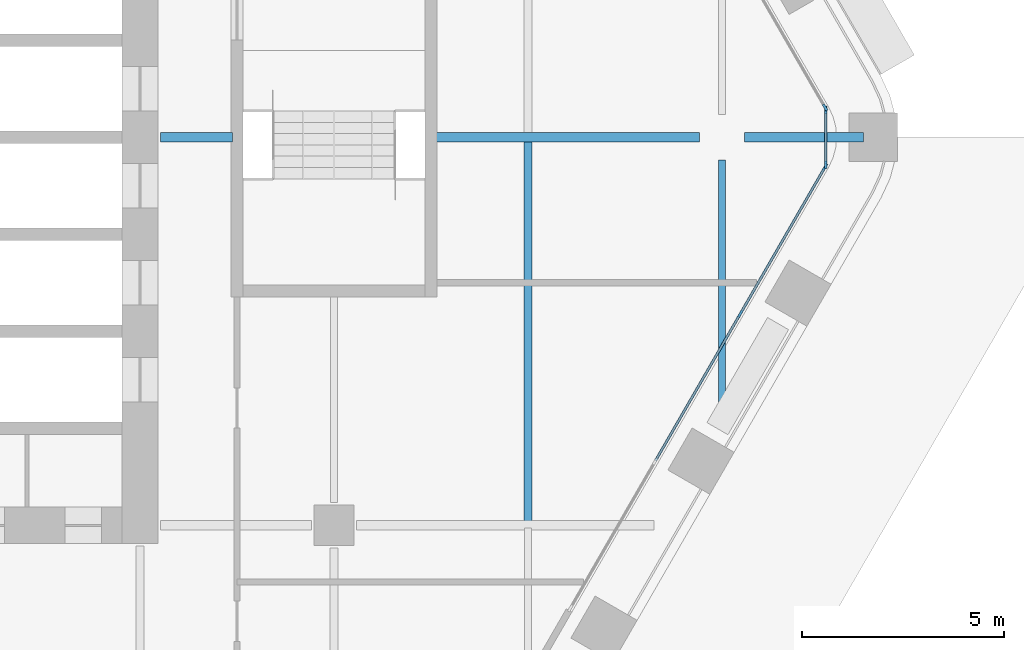
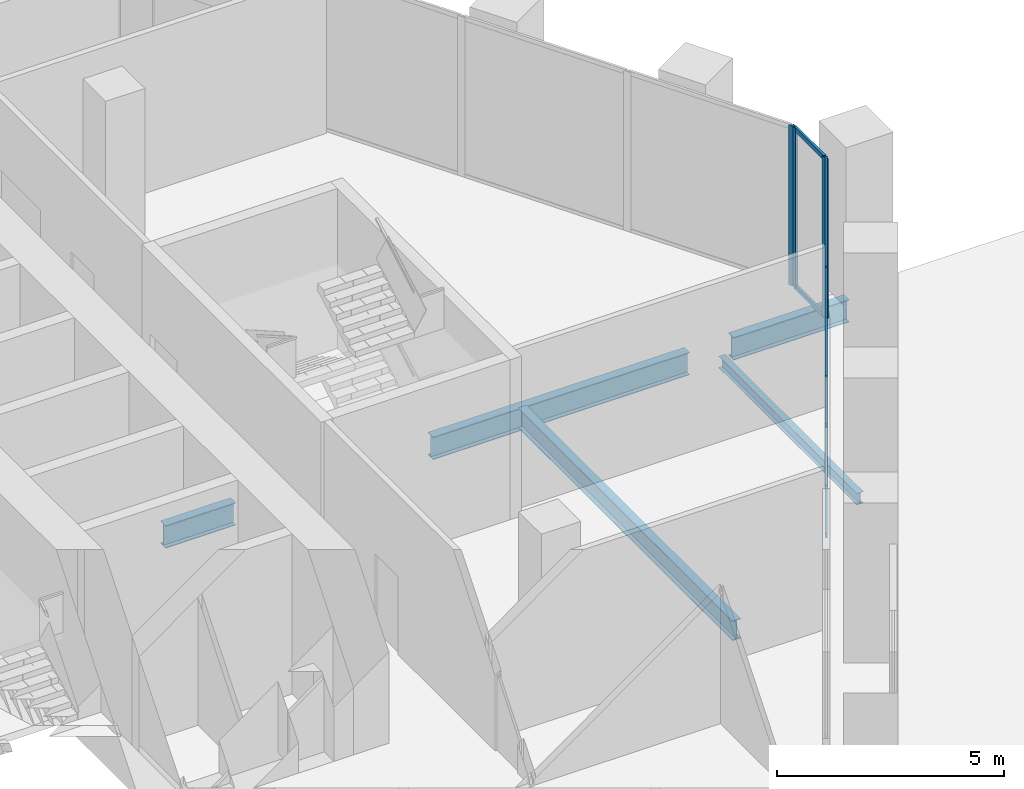
# One storey, part 5 of 23: 11 members, 5 beams, 3 elements without a shape of their own.
"""IFC4 building model written with IfcOpenShell, lengths in metres."""

import ifcopenshell
import ifcopenshell.guid

model = None  # the IFC model being written
_history = None  # IfcOwnerHistory: only IFC2X3 demands one
_inside = {}  # id of a spatial element -> (the spatial element, [elements in it])
_under = {}  # id of a project, library or spatial element -> (it, [spatial elements below it])
_declared = {}  # id of a project -> (the project, [libraries it declares])
_typed = {}  # id of a type object -> (the type object, [elements of that type])
_made_of = {}  # id of a material, layer set ... -> (it, [elements and type objects made of it])


def new_model(schema):
    """Start an empty IFC model of exactly this schema.

    Asked for "IFC4X3", IfcOpenShell would pick the latest addendum, in which some entities
    have other attributes; the version numbers below select the first issue.
    IFC2X3 requires an IfcOwnerHistory on every rooted entity: one is made here for all.
    """
    global model, _history
    if schema == "IFC4X3":
        model = ifcopenshell.file(schema_version=(4, 3, 0, 0))
    else:
        model = ifcopenshell.file(schema=schema)
    _inside.clear()
    _under.clear()
    _declared.clear()
    _typed.clear()
    _made_of.clear()
    _history = None
    if model.schema == "IFC2X3":
        org = make("IfcOrganization", Name="unknown")
        user = make(
            "IfcPersonAndOrganization",
            ThePerson=make("IfcPerson", FamilyName="unknown"),
            TheOrganization=org,
        )
        app = make(
            "IfcApplication",
            ApplicationDeveloper=org,
            Version="unknown",
            ApplicationFullName="unknown",
            ApplicationIdentifier="unknown",
        )
        _history = make(
            "IfcOwnerHistory",
            OwningUser=user,
            OwningApplication=app,
            ChangeAction="ADDED",
            CreationDate=0,
        )
    return model


def make(cls, **values):
    """One entity of the class cls with the attributes given. An attribute that is None is left unset."""
    return model.create_entity(
        cls, **{name: value for name, value in values.items() if value is not None}
    )


def rooted(cls, **values):
    """An entity with a GlobalId (a new one), such as an element, a storey or a relation."""
    return make(cls, GlobalId=ifcopenshell.guid.new(), OwnerHistory=_history, **values)


def si_unit(unit_type, name, prefix=None):
    """IfcSIUnit, for example si_unit("LENGTHUNIT", "METRE", prefix="MILLI")."""
    return make("IfcSIUnit", UnitType=unit_type, Prefix=prefix, Name=name)


def assignment(units):
    """IfcUnitAssignment: the units of a project."""
    return None if units is None else make("IfcUnitAssignment", Units=units)


def point(xyz):
    """IfcCartesianPoint."""
    return None if xyz is None else make("IfcCartesianPoint", Coordinates=xyz)


def direction(xyz):
    """IfcDirection."""
    return None if xyz is None else make("IfcDirection", DirectionRatios=xyz)


def frame(location, z_axis=None, x_axis=None):
    """IfcAxis2Placement3D, a coordinate frame: its origin and axes. An axis left out is left unset."""
    return make(
        "IfcAxis2Placement3D",
        Location=point(location),
        Axis=direction(z_axis),
        RefDirection=direction(x_axis),
    )


def frame_2d(location, x_axis=None):
    """IfcAxis2Placement2D, a coordinate frame in the plane: its origin and x axis."""
    return make(
        "IfcAxis2Placement2D", Location=point(location), RefDirection=direction(x_axis)
    )


def origin():
    """The frame at (0, 0, 0) with its axes left unset."""
    return frame((0.0, 0.0, 0.0))


def origin_2d():
    """The frame at (0, 0) in the plane with its x axis left unset."""
    return frame_2d((0.0, 0.0))


def place(relative_to, where):
    """IfcLocalPlacement: puts the frame where relative to a parent placement (None: the world)."""
    return make(
        "IfcLocalPlacement", PlacementRelTo=relative_to, RelativePlacement=where
    )


def context(
    kind, dimensions, precision=None, world=None, true_north=None, identifier=None
):
    """IfcGeometricRepresentationContext, for example the 3D "Model" context."""
    return make(
        "IfcGeometricRepresentationContext",
        ContextIdentifier=identifier,
        ContextType=kind,
        CoordinateSpaceDimension=dimensions,
        Precision=precision,
        WorldCoordinateSystem=world,
        TrueNorth=true_north,
    )


def subcontext(parent, identifier, kind, view, scale=None):
    """IfcGeometricRepresentationSubContext, for example "Body" below "Model"."""
    return make(
        "IfcGeometricRepresentationSubContext",
        ContextIdentifier=identifier,
        ContextType=kind,
        ParentContext=parent,
        TargetScale=scale,
        TargetView=view,
    )


def project(units=None, contexts=None):
    """IfcProject with its units and contexts."""
    return rooted(
        "IfcProject",
        Name="project",
        RepresentationContexts=contexts,
        UnitsInContext=assignment(units),
    )


def spatial(cls, under=None, at=None, **own):
    """A site, building, storey or space (cls), placed at a placement, below another one or the project."""
    s = rooted(cls, ObjectPlacement=at, **own)
    if under is not None:
        _under.setdefault(under.id(), (under, []))[1].append(s)
    return s


def profile(cls, at=None, kind="AREA", **sizes):
    """A parametric profile (cls). Its sizes go by their IFC names, for example OverallWidth=200.0."""
    return make(cls, ProfileType=kind, Position=at, **sizes)


def rectangle(**sizes):
    """IfcRectangleProfileDef."""
    return profile("IfcRectangleProfileDef", **sizes)


def i_section(**sizes):
    """IfcIShapeProfileDef."""
    return profile("IfcIShapeProfileDef", **sizes)


def extrude(swept, where, along, depth):
    """IfcExtrudedAreaSolid: the profile swept, set in the frame where, extruded along a direction by depth."""
    return make(
        "IfcExtrudedAreaSolid",
        SweptArea=swept,
        Position=where,
        ExtrudedDirection=direction(along),
        Depth=depth,
    )


def shape(context_of_items, identifier, shape_type, items):
    """IfcShapeRepresentation: the items that make up one representation, for example the "Body"."""
    return make(
        "IfcShapeRepresentation",
        ContextOfItems=context_of_items,
        RepresentationIdentifier=identifier,
        RepresentationType=shape_type,
        Items=items,
    )


def material(Name=None, Category=None):
    """IfcMaterial."""
    return make("IfcMaterial", Name=Name, Category=Category)


def material_profile(
    of_material, cross_section, Name=None, Category=None, Priority=None
):
    """IfcMaterialProfile: a cross section and its material."""
    return make(
        "IfcMaterialProfile",
        Name=Name,
        Material=of_material,
        Profile=cross_section,
        Priority=Priority,
        Category=Category,
    )


def profile_set(profiles, Name=None, composite=None):
    """IfcMaterialProfileSet."""
    return make(
        "IfcMaterialProfileSet",
        Name=Name,
        MaterialProfiles=profiles,
        CompositeProfile=composite,
    )


def made_of(thing, what):
    """Note that an element or type object is made of a material, layer set ...; save() writes the relation."""
    if what is not None:
        _made_of.setdefault(what.id(), (what, []))[1].append(thing)
    return thing


def type_object(cls, material=None, **own):
    """A type object (cls), such as IfcWallType, which elements share."""
    return made_of(rooted(cls, **own), material)


def element(
    cls,
    number,
    at=None,
    inside=None,
    cuts=None,
    type_object=None,
    material=None,
    context=None,
    identifier="Body",
    shape_type=None,
    held_by="IfcProductDefinitionShape",
    body=None,
    shapes=None,
    **own,
):
    """One element of the class cls, such as IfcWall. Its Tag is "e" and its number.

    at: its placement. inside: the storey or other place that contains it. cuts: it is an
    opening in that element (IfcRelVoidsElement). A single representation is given by context,
    identifier, shape_type and body (its items); several are given by shapes. held_by: the class
    of the entity that holds the representations. save() writes the other relations.
    """
    e = rooted(cls, Tag="e%d" % number, ObjectPlacement=at, **own)
    if body is not None:
        shapes = [shape(context, identifier, shape_type, body)]
    if shapes is not None:
        e.Representation = make(held_by, Representations=shapes)
    if inside is not None:
        _inside.setdefault(inside.id(), (inside, []))[1].append(e)
    if cuts is not None:
        rooted(
            "IfcRelVoidsElement", RelatingBuildingElement=cuts, RelatedOpeningElement=e
        )
    if type_object is not None:
        _typed.setdefault(type_object.id(), (type_object, []))[1].append(e)
    return made_of(e, material)


def aggregate(whole, parts):
    """IfcRelAggregates: a whole, such as a stair, and the parts it consists of."""
    return rooted("IfcRelAggregates", RelatingObject=whole, RelatedObjects=parts)


def save(model, path):
    """Write the relations noted so far, then the file.

    IfcRelAggregates (storeys below a building ...), IfcRelContainedInSpatialStructure (elements
    in a storey), IfcRelDefinesByType, IfcRelAssociatesMaterial and IfcRelDeclares: one each for
    every whole, place, type object, material and project.
    """
    for whole, parts in _under.values():
        aggregate(whole, parts)
    for where, things in _inside.values():
        rooted(
            "IfcRelContainedInSpatialStructure",
            RelatedElements=things,
            RelatingStructure=where,
        )
    for kind, things in _typed.values():
        rooted("IfcRelDefinesByType", RelatedObjects=things, RelatingType=kind)
    for what, things in _made_of.values():
        rooted("IfcRelAssociatesMaterial", RelatedObjects=things, RelatingMaterial=what)
    for by, libraries in _declared.values():
        rooted("IfcRelDeclares", RelatingContext=by, RelatedDefinitions=libraries)
    model.write(path)


model = new_model("IFC4")

# Units and contexts
model_context = context("Model", 3, precision=1e-05, world=origin(), true_north=direction((0.0, 1.0)))
body_context = subcontext(model_context, "Body", "Model", "MODEL_VIEW")
ifc_project = project(units=[si_unit("LENGTHUNIT", "METRE"), si_unit("AREAUNIT", "SQUARE_METRE"), si_unit("VOLUMEUNIT", "CUBIC_METRE"), si_unit("PLANEANGLEUNIT", "RADIAN"), si_unit("MASSUNIT", "GRAM", prefix="KILO")], contexts=[model_context])

# Site, building, storey
site_placement = place(None, origin())
site = spatial("IfcSite", under=ifc_project, at=site_placement, CompositionType="ELEMENT")
building_placement = place(site_placement, origin())
building = spatial("IfcBuilding", under=site, at=building_placement, Name="Kolab Exchange Tower", CompositionType="ELEMENT")
storey_placement = place(building_placement, frame((0.0, 0.0, 77.89990234375)))
storey = spatial("IfcBuildingStorey", under=building, at=storey_placement, Name="L14", CompositionType="ELEMENT", Elevation=77.89990234375)

# Beams
ifc_material_1 = material(Name="Steel S355", Category="steel")
ifc_material_profile_1 = material_profile(ifc_material_1, i_section(OverallWidth=0.1650390625, OverallDepth=0.31005859375, WebThickness=0.005859375, FlangeThickness=0.009765625, at=origin_2d()), Name="W310X39")
ifc_profile_set_1 = profile_set([ifc_material_profile_1], Name="Steel S355")
beam_type_1 = type_object("IfcBeamType", Name="FLOOR BEAM W310X39", PredefinedType="BEAM", material=ifc_profile_set_1)
beam_1_placement = place(storey_placement, frame((28.800048828125, -6.65380859375, -0.35498046875), z_axis=(0.0, 1.0, 0.0), x_axis=(-1.0, 0.0, 0.0)))
element("IfcBeam", 1, at=beam_1_placement, inside=storey, type_object=beam_type_1, Name="beam/L14/fr/058", PredefinedType="BEAM", context=body_context, shape_type="SweptSolid", body=[
    extrude(i_section(OverallWidth=0.1650390625, OverallDepth=0.31005859375, WebThickness=0.005859375, FlangeThickness=0.009765625, at=origin_2d()), origin(), (0.0, 0.0, 1.0), 6.09375),
])
ifc_material_profile_2 = material_profile(ifc_material_1, i_section(OverallWidth=0.208984375, OverallDepth=0.532958984375, WebThickness=0.01025390625, FlangeThickness=0.015625, at=origin_2d()), Name="W530X92")
ifc_profile_set_2 = profile_set([ifc_material_profile_2], Name="Steel S355")
beam_type_2 = type_object("IfcBeamType", Name="FLOOR BEAM W530X92", PredefinedType="BEAM", material=ifc_profile_set_2)
beam_2_placement = place(storey_placement, frame((24.0, -9.52587890625, -0.46630859375), z_axis=(0.0, 1.0, 0.0), x_axis=(-1.0, 0.0, 0.0)))
element("IfcBeam", 2, at=beam_2_placement, inside=storey, type_object=beam_type_2, Name="beam/L14/fr/055", PredefinedType="BEAM", context=body_context, shape_type="SweptSolid", body=[
    extrude(i_section(OverallWidth=0.208984375, OverallDepth=0.532958984375, WebThickness=0.01025390625, FlangeThickness=0.015625, at=origin_2d()), origin(), (0.0, 0.0, 1.0), 9.451904296875),
])
ifc_material_profile_3 = material_profile(ifc_material_1, i_section(OverallWidth=0.22802734375, OverallDepth=0.60791015625, WebThickness=0.01123046875, FlangeThickness=0.017333984375, at=origin_2d()), Name="W610X113")
ifc_profile_set_3 = profile_set([ifc_material_profile_3], Name="Steel S355")
beam_type_3 = type_object("IfcBeamType", Name="FLOOR GIRDER W610X113", PredefinedType="BEAM", material=ifc_profile_set_3)
beam_3_placement = place(storey_placement, frame((14.909912109375, 0.0, -0.50390625), z_axis=(1.0, 0.0, 0.0), x_axis=(0.0, 1.0, 0.0)))
element("IfcBeam", 3, at=beam_3_placement, inside=storey, type_object=beam_type_3, Name="beam/L14/gd/022", PredefinedType="BEAM", context=body_context, shape_type="SweptSolid", body=[
    extrude(i_section(OverallWidth=0.22802734375, OverallDepth=0.60791015625, WebThickness=0.01123046875, FlangeThickness=0.017333984375, at=origin_2d()), origin(), (0.0, 0.0, 1.0), 1.780029296875),
])
beam_4_placement = place(storey_placement, frame((21.7099609375, 0.0, -0.50390625), z_axis=(1.0, 0.0, 0.0), x_axis=(0.0, 1.0, 0.0)))
element("IfcBeam", 4, at=beam_4_placement, inside=storey, type_object=beam_type_3, Name="beam/L14/gd/028", PredefinedType="BEAM", context=body_context, shape_type="SweptSolid", body=[
    extrude(i_section(OverallWidth=0.22802734375, OverallDepth=0.60791015625, WebThickness=0.01123046875, FlangeThickness=0.017333984375, at=origin_2d()), origin(), (0.0, 0.0, 1.0), 6.530029296875),
])
beam_5_placement = place(storey_placement, frame((29.360107421875, 0.0, -0.50390625), z_axis=(1.0, 0.0, 0.0), x_axis=(0.0, 1.0, 0.0)))
element("IfcBeam", 5, at=beam_5_placement, inside=storey, type_object=beam_type_3, Name="beam/L14/gd/029", PredefinedType="BEAM", context=body_context, shape_type="SweptSolid", body=[
    extrude(i_section(OverallWidth=0.22802734375, OverallDepth=0.60791015625, WebThickness=0.01123046875, FlangeThickness=0.017333984375, at=origin_2d()), origin(), (0.0, 0.0, 1.0), 2.9384765625),
])

# Curtain wall, member
ifc_material_2 = material(Name="Aluminium EN AW-6063 T6", Category="aluminium")
curtain_wall_type = type_object("IfcCurtainWallType", Name="UNITISED LOWER MID ZONE CURTAIN WALL", PredefinedType="NOTDEFINED", material=ifc_material_2)
curtain_wall_1_placement = place(storey_placement, origin())
curtain_wall_1 = element("IfcCurtainWall", 6, at=curtain_wall_1_placement, inside=storey, type_object=curtain_wall_type, Name="cw/L14/F2-2", PredefinedType="NOTDEFINED")
ifc_material_profile_4 = material_profile(ifc_material_2, rectangle(XDim=0.06005859375, YDim=0.179931640625, at=origin_2d()), Name="RECT 60X180")
ifc_profile_set_4 = profile_set([ifc_material_profile_4], Name="Aluminium EN AW-6063 T6")
member_type_1 = type_object("IfcMemberType", Name="UNITISED LOWER MID ZONE MULLION 60 X 180", PredefinedType="MULLION", material=ifc_profile_set_4)
member_1_placement = place(storey_placement, frame((31.3505859375, 0.736083984375, 0.0), z_axis=(0.0, 0.0, 1.0), x_axis=(0.866025427826, 0.499999958358, 0.0)))
member_1 = element("IfcMember", 7, at=member_1_placement, type_object=member_type_1, Name="CW2 mullion 4", PredefinedType="MULLION", context=body_context, shape_type="SweptSolid", body=[
    extrude(rectangle(XDim=0.06005859375, YDim=0.179931640625, at=origin_2d()), origin(), (0.0, 0.0, 1.0), 4.300048828125),
])
aggregate(curtain_wall_1, [member_1])

# Curtain wall, members
curtain_wall_2_placement = place(storey_placement, origin())
curtain_wall_2 = element("IfcCurtainWall", 8, at=curtain_wall_2_placement, inside=storey, type_object=curtain_wall_type, Name="cw/L14/F3-1", PredefinedType="NOTDEFINED")
member_2_placement = place(storey_placement, frame((31.3505859375, -0.736083984375, 0.0), z_axis=(0.0, 0.0, 1.0), x_axis=(0.866025427826, -0.499999958358, 0.0)))
member_2 = element("IfcMember", 9, at=member_2_placement, type_object=member_type_1, Name="CW2 mullion 1", PredefinedType="MULLION", context=body_context, shape_type="SweptSolid", body=[
    extrude(rectangle(XDim=0.06005859375, YDim=0.179931640625, at=origin_2d()), origin(), (0.0, 0.0, 1.0), 4.300048828125),
])
member_3_placement = place(storey_placement, frame((29.25439453125, -4.366943359375, 0.0), z_axis=(0.0, 0.0, 1.0), x_axis=(0.866025427826, -0.499999958358, 0.0)))
member_3 = element("IfcMember", 10, at=member_3_placement, type_object=member_type_1, Name="CW2 mullion 2", PredefinedType="MULLION", context=body_context, shape_type="SweptSolid", body=[
    extrude(rectangle(XDim=0.06005859375, YDim=0.179931640625, at=origin_2d()), origin(), (0.0, 0.0, 1.0), 4.300048828125),
])

curtain_wall_3_placement = place(storey_placement, origin())
curtain_wall_3 = element("IfcCurtainWall", 11, at=curtain_wall_3_placement, inside=storey, type_object=curtain_wall_type, Name="cw/L14/F2F3-corner", PredefinedType="NOTDEFINED")
member_4_placement = place(storey_placement, frame((31.36572265625, 0.679931640625, 0.0), z_axis=(0.0, 0.0, 1.0), x_axis=(1.0, 0.0, 0.0)))
member_4 = element("IfcMember", 12, at=member_4_placement, type_object=member_type_1, Name="CW2 mullion 1", PredefinedType="MULLION", context=body_context, shape_type="SweptSolid", body=[
    extrude(rectangle(XDim=0.06005859375, YDim=0.179931640625, at=origin_2d()), origin(), (0.0, 0.0, 1.0), 4.300048828125),
])
member_5_placement = place(storey_placement, frame((31.36572265625, -0.679931640625, 0.0), z_axis=(0.0, 0.0, 1.0), x_axis=(1.0, 0.0, 0.0)))
member_5 = element("IfcMember", 13, at=member_5_placement, type_object=member_type_1, Name="CW2 mullion 2", PredefinedType="MULLION", context=body_context, shape_type="SweptSolid", body=[
    extrude(rectangle(XDim=0.06005859375, YDim=0.179931640625, at=origin_2d()), origin(), (0.0, 0.0, 1.0), 4.300048828125),
])

# Member
ifc_material_profile_5 = material_profile(ifc_material_2, rectangle(XDim=0.06005859375, YDim=0.1201171875, at=origin_2d()), Name="RECT 60X120")
ifc_profile_set_5 = profile_set([ifc_material_profile_5], Name="Aluminium EN AW-6063 T6")
member_type_2 = type_object("IfcMemberType", Name="UNITISED LOWER MID ZONE TRANSOM 60 X 120", PredefinedType="USERDEFINED", material=ifc_profile_set_5)
member_6_placement = place(storey_placement, frame((31.335693359375, -0.761962890625, 0.030029296875), z_axis=(-0.500027577057, -0.866009481578, 0.0), x_axis=(0.866009481578, -0.500027577057, 0.0)))
member_6 = element("IfcMember", 14, at=member_6_placement, type_object=member_type_2, Name="CW2 transom 1.1", ObjectType="TRANSOM", PredefinedType="USERDEFINED", context=body_context, shape_type="SweptSolid", body=[
    extrude(rectangle(XDim=0.06005859375, YDim=0.1201171875, at=origin_2d()), origin(), (0.0, 0.0, 1.0), 4.132568359375),
])

member_7_placement = place(storey_placement, frame((31.335693359375, -0.761962890625, 4.27001953125), z_axis=(-0.500027577057, -0.866009481578, 0.0), x_axis=(0.866009481578, -0.500027577057, 0.0)))
member_7 = element("IfcMember", 15, at=member_7_placement, type_object=member_type_2, Name="CW2 transom 1.2", ObjectType="TRANSOM", PredefinedType="USERDEFINED", context=body_context, shape_type="SweptSolid", body=[
    extrude(rectangle(XDim=0.06005859375, YDim=0.1201171875, at=origin_2d()), origin(), (0.0, 0.0, 1.0), 4.132568359375),
])

member_8_placement = place(storey_placement, frame((29.2392578125, -4.392822265625, 0.030029296875), z_axis=(-0.49999322259, -0.866029316688, 0.0), x_axis=(0.866029316688, -0.49999322259, 0.0)))
member_8 = element("IfcMember", 16, at=member_8_placement, type_object=member_type_2, Name="CW2 transom 2.1", ObjectType="TRANSOM", PredefinedType="USERDEFINED", context=body_context, shape_type="SweptSolid", body=[
    extrude(rectangle(XDim=0.06005859375, YDim=0.1201171875, at=origin_2d()), origin(), (0.0, 0.0, 1.0), 4.16259765625),
])

member_9_placement = place(storey_placement, frame((29.2392578125, -4.392822265625, 4.27001953125), z_axis=(-0.49999322259, -0.866029316688, 0.0), x_axis=(0.866029316688, -0.49999322259, 0.0)))
member_9 = element("IfcMember", 17, at=member_9_placement, type_object=member_type_2, Name="CW2 transom 2.2", ObjectType="TRANSOM", PredefinedType="USERDEFINED", context=body_context, shape_type="SweptSolid", body=[
    extrude(rectangle(XDim=0.06005859375, YDim=0.1201171875, at=origin_2d()), origin(), (0.0, 0.0, 1.0), 4.16259765625),
])

aggregate(curtain_wall_2, [member_2, member_3, member_6, member_7, member_8, member_9])

member_10_placement = place(storey_placement, frame((31.36572265625, 0.64990234375, 0.030029296875), z_axis=(0.0, -1.0, 0.0), x_axis=(1.0, 0.0, 0.0)))
member_10 = element("IfcMember", 18, at=member_10_placement, type_object=member_type_2, Name="CW2 transom 1.1", ObjectType="TRANSOM", PredefinedType="USERDEFINED", context=body_context, shape_type="SweptSolid", body=[
    extrude(rectangle(XDim=0.06005859375, YDim=0.1201171875, at=origin_2d()), origin(), (0.0, 0.0, 1.0), 1.2998046875),
])

member_11_placement = place(storey_placement, frame((31.36572265625, 0.64990234375, 4.27001953125), z_axis=(0.0, -1.0, 0.0), x_axis=(1.0, 0.0, 0.0)))
member_11 = element("IfcMember", 19, at=member_11_placement, type_object=member_type_2, Name="CW2 transom 1.2", ObjectType="TRANSOM", PredefinedType="USERDEFINED", context=body_context, shape_type="SweptSolid", body=[
    extrude(rectangle(XDim=0.06005859375, YDim=0.1201171875, at=origin_2d()), origin(), (0.0, 0.0, 1.0), 1.2998046875),
])

aggregate(curtain_wall_3, [member_4, member_5, member_10, member_11])

save(model, "model.ifc")
